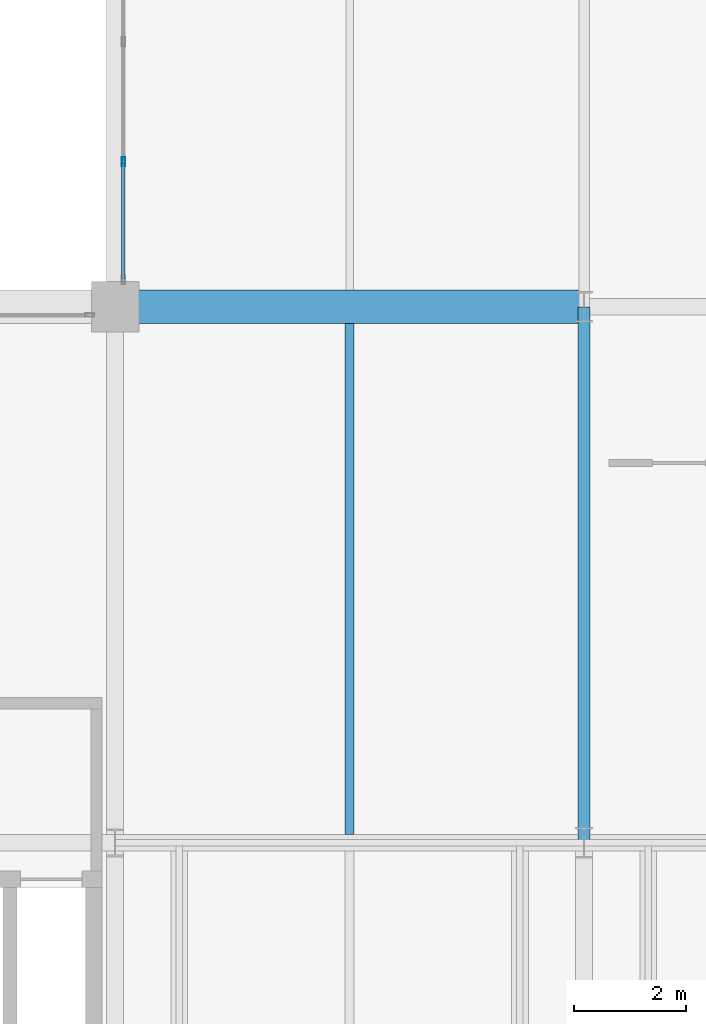
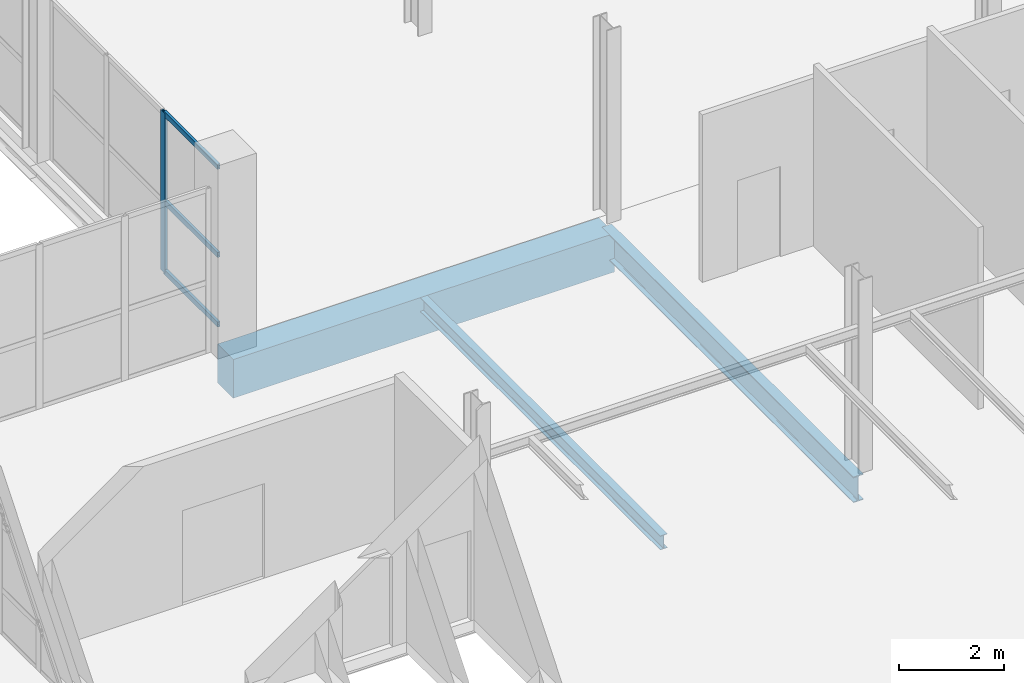
# One storey, part 26 of 109: 4 members, 3 beams, 1 element without a shape of its own.
"""IFC4 building model written with IfcOpenShell, lengths in metres."""

from ifc_helpers import new_model, si_unit, direction, frame, origin, origin_2d, place, context, subcontext, project, spatial, rectangle, hollow_rectangle, i_section, extrude, material, material_profile, profile_set, type_object, element, aggregate, save


model = new_model("IFC4")

# Units and contexts
model_context = context("Model", 3, precision=1e-05, world=origin(), true_north=direction((0.0, 1.0)))
body_context = subcontext(model_context, "Body", "Model", "MODEL_VIEW")
ifc_project = project(units=[si_unit("LENGTHUNIT", "METRE"), si_unit("AREAUNIT", "SQUARE_METRE"), si_unit("VOLUMEUNIT", "CUBIC_METRE"), si_unit("PLANEANGLEUNIT", "RADIAN"), si_unit("MASSUNIT", "GRAM", prefix="KILO")], contexts=[model_context])

# Site, building, storey
site_placement = place(None, origin())
site = spatial("IfcSite", under=ifc_project, at=site_placement, CompositionType="ELEMENT")
building_placement = place(site_placement, origin())
building = spatial("IfcBuilding", under=site, at=building_placement, Name="Veltarok Museum of Natural Sciences", CompositionType="ELEMENT")
storey_placement = place(building_placement, frame((0.0, 0.0, 17.39990234375)))
storey = spatial("IfcBuildingStorey", under=building, at=storey_placement, Name="L03", CompositionType="ELEMENT", Elevation=17.39990234375)

# Curtain wall, members
ifc_material_1 = material(Name="Low-iron triple insulated glass", Category="glass")
curtain_wall_type = type_object("IfcCurtainWallType", Name="Curtain Wall System CW-V2W-L03-3-645x373 (CW-V2W L03 645x373cm)", PredefinedType="NOTDEFINED", material=ifc_material_1)
curtain_wall_placement = place(storey_placement, origin())
curtain_wall = element("IfcCurtainWall", 1, at=curtain_wall_placement, inside=storey, type_object=curtain_wall_type, Name="Curtain Wall CW-V2W-L03-3-645x373 CW-0143", PredefinedType="NOTDEFINED")
ifc_material_2 = material(Name="Thermally broken anodised aluminium", Category="aluminium")
ifc_material_profile_1 = material_profile(ifc_material_2, hollow_rectangle(XDim=0.06005859375, YDim=0.1201171875, WallThickness=0.0048828125, at=origin_2d()), Name="CW TRANSOM 60x120x5")
ifc_profile_set_1 = profile_set([ifc_material_profile_1], Name="Thermally broken anodised aluminium")
member_type_1 = type_object("IfcMemberType", Name="Curtain Wall Horizontal Transom 60x120x5", PredefinedType="USERDEFINED", material=ifc_profile_set_1)
member_1_placement = place(storey_placement, frame((40.14990234375, 19.7099609375, 0.028076171875), z_axis=(0.0, 1.0, 0.0), x_axis=(-1.0, 0.0, 0.0)))
member_1 = element("IfcMember", 2, at=member_1_placement, type_object=member_type_1, Name="CW-V2W-L03-3-645x373 transom 1.1", ObjectType="TRANSOM", PredefinedType="USERDEFINED", context=body_context, shape_type="SweptSolid", body=[
    extrude(hollow_rectangle(XDim=0.06005859375, YDim=0.1201171875, WallThickness=0.0048828125, at=origin_2d()), origin(), (0.0, 0.0, 1.0), 2.06005859375),
])
member_2_placement = place(storey_placement, frame((40.14990234375, 19.7099609375, 1.648193359375), z_axis=(0.0, 1.0, 0.0), x_axis=(-1.0, 0.0, 0.0)))
member_2 = element("IfcMember", 3, at=member_2_placement, type_object=member_type_1, Name="CW-V2W-L03-3-645x373 transom 1.2", ObjectType="TRANSOM", PredefinedType="USERDEFINED", context=body_context, shape_type="SweptSolid", body=[
    extrude(hollow_rectangle(XDim=0.06005859375, YDim=0.1201171875, WallThickness=0.0048828125, at=origin_2d()), origin(), (0.0, 0.0, 1.0), 2.06005859375),
])
member_3_placement = place(storey_placement, frame((40.14990234375, 19.7099609375, 3.7001953125), z_axis=(0.0, 1.0, 0.0), x_axis=(-1.0, 0.0, 0.0)))
member_3 = element("IfcMember", 4, at=member_3_placement, type_object=member_type_1, Name="CW-V2W-L03-3-645x373 transom 1.3", ObjectType="TRANSOM", PredefinedType="USERDEFINED", context=body_context, shape_type="SweptSolid", body=[
    extrude(hollow_rectangle(XDim=0.06005859375, YDim=0.1201171875, WallThickness=0.0048828125, at=origin_2d()), origin(), (0.0, 0.0, 1.0), 2.06005859375),
])
ifc_material_profile_2 = material_profile(ifc_material_2, hollow_rectangle(XDim=0.06005859375, YDim=0.159912109375, WallThickness=0.0048828125, at=origin_2d()), Name="CW MULLION 60x160x5")
ifc_profile_set_2 = profile_set([ifc_material_profile_2], Name="Thermally broken anodised aluminium")
member_type_2 = type_object("IfcMemberType", Name="Curtain Wall Vertical Mullion 60x160x5", PredefinedType="MULLION", material=ifc_profile_set_2)
member_4_placement = place(storey_placement, frame((40.14990234375, 21.800048828125, -0.001953125), z_axis=(0.0, 0.0, 1.0), x_axis=(-1.0, 0.0, 0.0)))
member_4 = element("IfcMember", 5, at=member_4_placement, type_object=member_type_2, Name="CW-V2W-L03-3-645x373 mullion 2", PredefinedType="MULLION", context=body_context, shape_type="SweptSolid", body=[
    extrude(hollow_rectangle(XDim=0.06005859375, YDim=0.159912109375, WallThickness=0.0048828125, at=origin_2d()), origin(), (0.0, 0.0, 1.0), 3.73193359375),
])
aggregate(curtain_wall, [member_4, member_1, member_2, member_3])

# Beams
ifc_material_3 = material(Name="Concrete C40/50", Category="concrete")
ifc_material_profile_3 = material_profile(ifc_material_3, rectangle(XDim=0.60009765625, YDim=0.89990234375, at=origin_2d()), Name="RC 600x900")
ifc_profile_set_3 = profile_set([ifc_material_profile_3], Name="Concrete C40/50")
beam_type_1 = type_object("IfcBeamType", Name="Exposed Cabinet Perimeter Spandrel RC 600x900", PredefinedType="SPANDREL", material=ifc_profile_set_3)
beam_1_placement = place(storey_placement, frame((40.0, 19.199951171875, -0.699951171875), z_axis=(1.0, 0.0, 0.0), x_axis=(0.0, 1.0, 0.0)))
element("IfcBeam", 6, at=beam_1_placement, inside=storey, type_object=beam_type_1, Name="Beam BM-SP01 L03 5-6/C", PredefinedType="SPANDREL", context=body_context, shape_type="SweptSolid", body=[
    extrude(rectangle(XDim=0.60009765625, YDim=0.89990234375, at=origin_2d()), origin(), (0.0, 0.0, 1.0), 8.39990234375),
])
ifc_material_4 = material(Name="Steel S355J2", Category="steel")
ifc_material_profile_4 = material_profile(ifc_material_4, i_section(OverallWidth=0.159912109375, OverallDepth=0.330078125, WebThickness=0.007568359375, FlangeThickness=0.011474609375, FilletRadius=0.01806640625, at=origin_2d()), Name="IPE 330")
ifc_profile_set_4 = profile_set([ifc_material_profile_4], Name="Steel S355J2")
beam_type_2 = type_object("IfcBeamType", Name="Medium-Bay Composite Joist IPE 330", PredefinedType="JOIST", material=ifc_profile_set_4)
beam_2_placement = place(storey_placement, frame((44.199951171875, 9.748046875, -0.414794921875), z_axis=(0.0, 1.0, 0.0), x_axis=(-1.0, 0.0, 0.0)))
element("IfcBeam", 7, at=beam_2_placement, inside=storey, type_object=beam_type_2, Name="Secondary Joist BM-J02 L03 5-6/B-C.1", PredefinedType="JOIST", context=body_context, shape_type="SweptSolid", body=[
    extrude(i_section(OverallWidth=0.159912109375, OverallDepth=0.330078125, WebThickness=0.007568359375, FlangeThickness=0.011474609375, FilletRadius=0.01806640625, at=origin_2d()), origin(), (0.0, 0.0, 1.0), 9.154052734375),
])
ifc_material_profile_5 = material_profile(ifc_material_4, i_section(OverallWidth=0.219970703125, OverallDepth=0.60009765625, WebThickness=0.011962890625, FlangeThickness=0.01904296875, FilletRadius=0.02392578125, at=origin_2d()), Name="IPE 600")
ifc_profile_set_5 = profile_set([ifc_material_profile_5], Name="Steel S355J2")
beam_type_3 = type_object("IfcBeamType", Name="Primary Museum Girder IPE 600", PredefinedType="BEAM", material=ifc_profile_set_5)
beam_3_placement = place(storey_placement, frame((48.39990234375, 9.60009765625, -0.5498046875), z_axis=(0.0, 1.0, 0.0), x_axis=(-1.0, 0.0, 0.0)))
element("IfcBeam", 8, at=beam_3_placement, inside=storey, type_object=beam_type_3, Name="Beam BM-G02 L03 6/B-C", PredefinedType="BEAM", context=body_context, shape_type="SweptSolid", body=[
    extrude(i_section(OverallWidth=0.219970703125, OverallDepth=0.60009765625, WebThickness=0.011962890625, FlangeThickness=0.01904296875, FilletRadius=0.02392578125, at=origin_2d()), origin(), (0.0, 0.0, 1.0), 9.599853515625),
])

save(model, "model.ifc")
